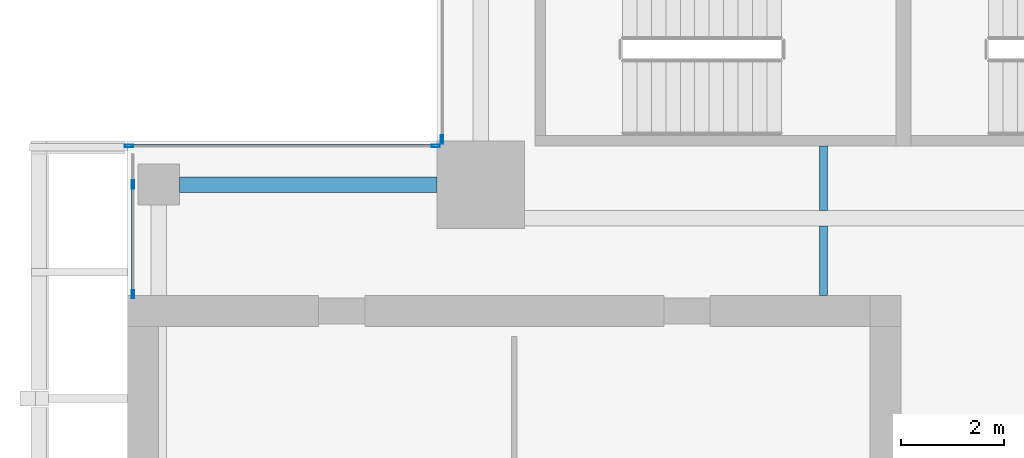
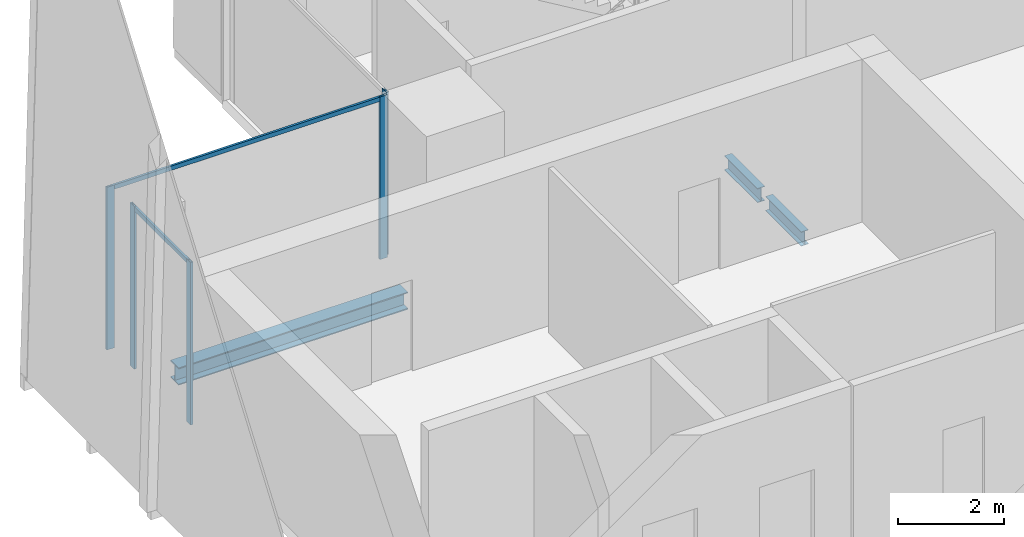
# One storey, part 13 of 32: 7 members, 3 beams, 3 elements without a shape of their own.
"""IFC4 building model written with IfcOpenShell, lengths in metres."""

from ifc_helpers import new_model, si_unit, direction, frame, origin, origin_2d, place, context, subcontext, project, spatial, hollow_rectangle, i_section, extrude, source, transform, mapped, material, material_profile, profile_set, type_object, element, aggregate, save


model = new_model("IFC4")

# Units and contexts
model_context = context("Model", 3, precision=1e-05, world=origin(), true_north=direction((0.0, 1.0)))
body_context = subcontext(model_context, "Body", "Model", "MODEL_VIEW")
ifc_project = project(units=[si_unit("LENGTHUNIT", "METRE"), si_unit("AREAUNIT", "SQUARE_METRE"), si_unit("VOLUMEUNIT", "CUBIC_METRE"), si_unit("PLANEANGLEUNIT", "RADIAN"), si_unit("MASSUNIT", "GRAM", prefix="KILO")], contexts=[model_context])

# Site, building, storey
site_placement = place(None, origin())
site = spatial("IfcSite", under=ifc_project, at=site_placement, CompositionType="ELEMENT")
building_placement = place(site_placement, origin())
building = spatial("IfcBuilding", under=site, at=building_placement, Name="Khomas Fold Tower", CompositionType="ELEMENT")
storey_placement = place(building_placement, frame((0.0, 0.0, 306.199951171875)))
storey = spatial("IfcBuildingStorey", under=building, at=storey_placement, Name="L69", CompositionType="ELEMENT", Elevation=306.199951171875)

# Beams
ifc_material_1 = material(Name="Steel S355", Category="steel")
ifc_material_profile_1 = material_profile(ifc_material_1, i_section(OverallWidth=0.159912109375, OverallDepth=0.330078125, WebThickness=0.007568359375, FlangeThickness=0.011474609375, at=origin_2d()), Name="IPE 330")
ifc_profile_set_1 = profile_set([ifc_material_profile_1], Name="Steel S355")
beam_type_1 = type_object("IfcBeamType", Name="IPE 330 beam JB1", PredefinedType="BEAM", material=ifc_profile_set_1)
shared_shape_1 = source(origin(), body_context, "Body", "SweptSolid", [
    extrude(i_section(OverallWidth=0.159912109375, OverallDepth=0.330078125, WebThickness=0.007568359375, FlangeThickness=0.011474609375, at=origin_2d()), origin(), (0.0, 0.0, 1.0), 1.25),
])
beam_1_placement = place(storey_placement, frame((19.5, 40.64990234375, -0.4150390625), z_axis=(0.0, 1.0, 0.0), x_axis=(-1.0, 0.0, 0.0)))
element("IfcBeam", 1, at=beam_1_placement, inside=storey, type_object=beam_type_1, Name="JB1", PredefinedType="BEAM", context=body_context, shape_type="MappedRepresentation", body=[
    mapped(shared_shape_1, transform((0.0, 0.0, 0.0))),
])
shared_shape_2 = source(origin(), body_context, "Body", "SweptSolid", [
    extrude(i_section(OverallWidth=0.159912109375, OverallDepth=0.330078125, WebThickness=0.007568359375, FlangeThickness=0.011474609375, at=origin_2d()), origin(), (0.0, 0.0, 1.0), 1.35009765625),
])
beam_2_placement = place(storey_placement, frame((19.5, 39.0, -0.4150390625), z_axis=(0.0, 1.0, 0.0), x_axis=(-1.0, 0.0, 0.0)))
element("IfcBeam", 2, at=beam_2_placement, inside=storey, type_object=beam_type_1, Name="JB1", PredefinedType="BEAM", context=body_context, shape_type="MappedRepresentation", body=[
    mapped(shared_shape_2, transform((0.0, 0.0, 0.0))),
])
ifc_material_2 = material(Name="Steel S355", Category="steel")
ifc_material_profile_2 = material_profile(ifc_material_2, i_section(OverallWidth=0.300048828125, OverallDepth=0.39990234375, WebThickness=0.013427734375, FlangeThickness=0.02392578125, at=origin_2d()), Name="HE 400 B")
ifc_profile_set_2 = profile_set([ifc_material_profile_2], Name="Steel S355")
beam_type_2 = type_object("IfcBeamType", Name="HE 400 B spandrel SB5", PredefinedType="SPANDREL", material=ifc_profile_set_2)
shared_shape_3 = source(origin(), body_context, "Body", "SweptSolid", [
    extrude(i_section(OverallWidth=0.300048828125, OverallDepth=0.39990234375, WebThickness=0.013427734375, FlangeThickness=0.02392578125, at=origin_2d()), origin(), (0.0, 0.0, 1.0), 5.0),
])
beam_3_placement = place(storey_placement, frame((7.0, 41.14990234375, -0.449951171875), z_axis=(1.0, 0.0, 0.0), x_axis=(0.0, 1.0, 0.0)))
element("IfcBeam", 3, at=beam_3_placement, inside=storey, type_object=beam_type_2, Name="SB5", PredefinedType="SPANDREL", context=body_context, shape_type="MappedRepresentation", body=[
    mapped(shared_shape_3, transform((0.0, 0.0, 0.0))),
])

# Curtain wall, member
ifc_material_3 = material(Name="Aluminium framed double glazing", Category="aluminium")
curtain_wall_type = type_object("IfcCurtainWallType", Name="SK-Unitised clear-glass wall, upper floors CW3", PredefinedType="NOTDEFINED", material=ifc_material_3)
curtain_wall_1_placement = place(storey_placement, origin())
curtain_wall_1 = element("IfcCurtainWall", 4, at=curtain_wall_1_placement, inside=storey, type_object=curtain_wall_type, Name="CW3 corner return L69 07", PredefinedType="NOTDEFINED")
ifc_material_4 = material(Name="Aluminium", Category="aluminium")
ifc_material_profile_3 = material_profile(ifc_material_4, hollow_rectangle(XDim=0.050048828125, YDim=0.159912109375, WallThickness=0.00390625, at=origin_2d()), Name="SK-Unitised clear-glass wall, upper floors mullion CW3-M")
ifc_profile_set_3 = profile_set([ifc_material_profile_3], Name="Aluminium")
member_type_1 = type_object("IfcMemberType", Name="SK-Unitised clear-glass wall, upper floors mullion CW3-M", PredefinedType="MULLION", material=ifc_profile_set_3)
shared_shape_4 = source(origin(), body_context, "Body", "SweptSolid", [
    extrude(hollow_rectangle(XDim=0.050048828125, YDim=0.159912109375, WallThickness=0.00390625, at=origin_2d()), origin(), (0.0, 0.0, 1.0), 3.75),
])
member_1_placement = place(storey_placement, frame((12.10009765625, 42.02490234375, 0.0), z_axis=(0.0, 0.0, 1.0), x_axis=(1.0, 0.0, 0.0)))
member_1 = element("IfcMember", 5, at=member_1_placement, type_object=member_type_1, Name="CW3 mullion 2", PredefinedType="MULLION", context=body_context, shape_type="MappedRepresentation", body=[
    mapped(shared_shape_4, transform((0.0, 0.0, 0.0))),
])
aggregate(curtain_wall_1, [member_1])

# Curtain wall, members
curtain_wall_2_placement = place(storey_placement, origin())
curtain_wall_2 = element("IfcCurtainWall", 6, at=curtain_wall_2_placement, inside=storey, type_object=curtain_wall_type, Name="CW3 corner return L69 08", PredefinedType="NOTDEFINED")
member_2_placement = place(storey_placement, frame((11.97509765625, 41.89990234375, 0.0), z_axis=(0.0, 0.0, 1.0), x_axis=(0.0, -1.0, 0.0)))
member_2 = element("IfcMember", 7, at=member_2_placement, type_object=member_type_1, Name="CW3 mullion 1", PredefinedType="MULLION", context=body_context, shape_type="MappedRepresentation", body=[
    mapped(shared_shape_4, transform((0.0, 0.0, 0.0))),
])
member_3_placement = place(storey_placement, frame((6.02490234375, 41.89990234375, 0.0), z_axis=(0.0, 0.0, 1.0), x_axis=(0.0, -1.0, 0.0)))
member_3 = element("IfcMember", 8, at=member_3_placement, type_object=member_type_1, Name="CW3 mullion 2", PredefinedType="MULLION", context=body_context, shape_type="MappedRepresentation", body=[
    mapped(shared_shape_4, transform((0.0, 0.0, 0.0))),
])

curtain_wall_3_placement = place(storey_placement, origin())
curtain_wall_3 = element("IfcCurtainWall", 9, at=curtain_wall_3_placement, inside=storey, type_object=curtain_wall_type, Name="CW3 run L69 09-0", PredefinedType="NOTDEFINED")
member_4_placement = place(storey_placement, frame((6.10009765625, 41.14990234375, 0.0), z_axis=(0.0, 0.0, 1.0), x_axis=(1.0, 0.0, 0.0)))
member_4 = element("IfcMember", 10, at=member_4_placement, type_object=member_type_1, Name="CW3 mullion 2", PredefinedType="MULLION", context=body_context, shape_type="MappedRepresentation", body=[
    mapped(shared_shape_4, transform((0.0, 0.0, 0.0))),
])
member_5_placement = place(storey_placement, frame((6.10009765625, 39.02490234375, 0.0), z_axis=(0.0, 0.0, 1.0), x_axis=(1.0, 0.0, 0.0)))
member_5 = element("IfcMember", 11, at=member_5_placement, type_object=member_type_1, Name="CW3 mullion 3", PredefinedType="MULLION", context=body_context, shape_type="MappedRepresentation", body=[
    mapped(shared_shape_4, transform((0.0, 0.0, 0.0))),
])

# Member
ifc_material_5 = material(Name="Aluminium", Category="aluminium")
ifc_material_profile_4 = material_profile(ifc_material_5, hollow_rectangle(XDim=0.050048828125, YDim=0.10009765625, WallThickness=0.00390625, at=origin_2d()), Name="SK-Unitised clear-glass wall, upper floors transom CW3-T")
ifc_profile_set_4 = profile_set([ifc_material_profile_4], Name="Aluminium")
member_type_2 = type_object("IfcMemberType", Name="SK-Unitised clear-glass wall, upper floors transom CW3-T", PredefinedType="USERDEFINED", material=ifc_profile_set_4)
shared_shape_5 = source(origin(), body_context, "Body", "SweptSolid", [
    extrude(hollow_rectangle(XDim=0.050048828125, YDim=0.10009765625, WallThickness=0.00390625, at=origin_2d()), origin(), (0.0, 0.0, 1.0), 5.89990234375),
])
member_6_placement = place(storey_placement, frame((11.949951171875, 41.89990234375, 3.699951171875), z_axis=(-1.0, 0.0, 0.0), x_axis=(0.0, -1.0, 0.0)))
member_6 = element("IfcMember", 12, at=member_6_placement, type_object=member_type_2, Name="CW3 transom 1", ObjectType="TRANSOM", PredefinedType="USERDEFINED", context=body_context, shape_type="MappedRepresentation", body=[
    mapped(shared_shape_5, transform((0.0, 0.0, 0.0))),
])

aggregate(curtain_wall_2, [member_2, member_3, member_6])

shared_shape_6 = source(origin(), body_context, "Body", "SweptSolid", [
    extrude(hollow_rectangle(XDim=0.050048828125, YDim=0.10009765625, WallThickness=0.00390625, at=origin_2d()), origin(), (0.0, 0.0, 1.0), 2.074951171875),
])
member_7_placement = place(storey_placement, frame((6.10009765625, 41.125, 3.699951171875), z_axis=(0.0, -1.0, 0.0), x_axis=(1.0, 0.0, 0.0)))
member_7 = element("IfcMember", 13, at=member_7_placement, type_object=member_type_2, Name="CW3 transom 2", ObjectType="TRANSOM", PredefinedType="USERDEFINED", context=body_context, shape_type="MappedRepresentation", body=[
    mapped(shared_shape_6, transform((0.0, 0.0, 0.0))),
])

aggregate(curtain_wall_3, [member_4, member_5, member_7])

save(model, "model.ifc")
